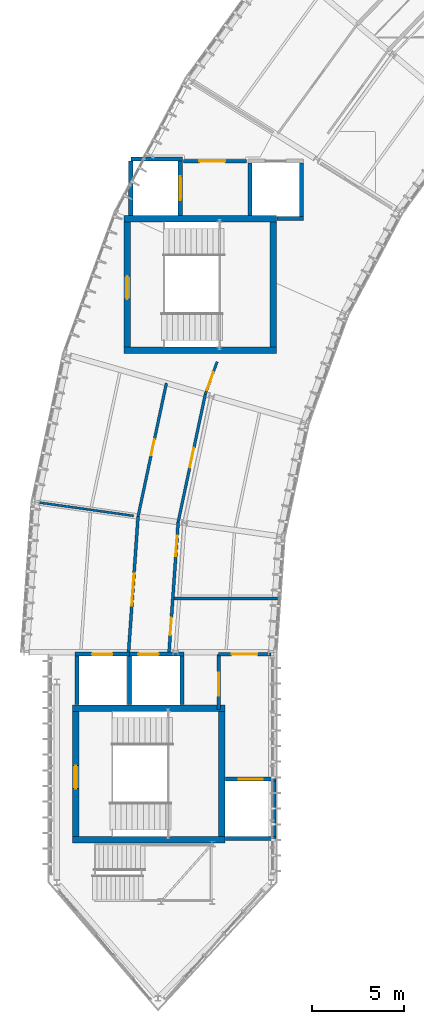
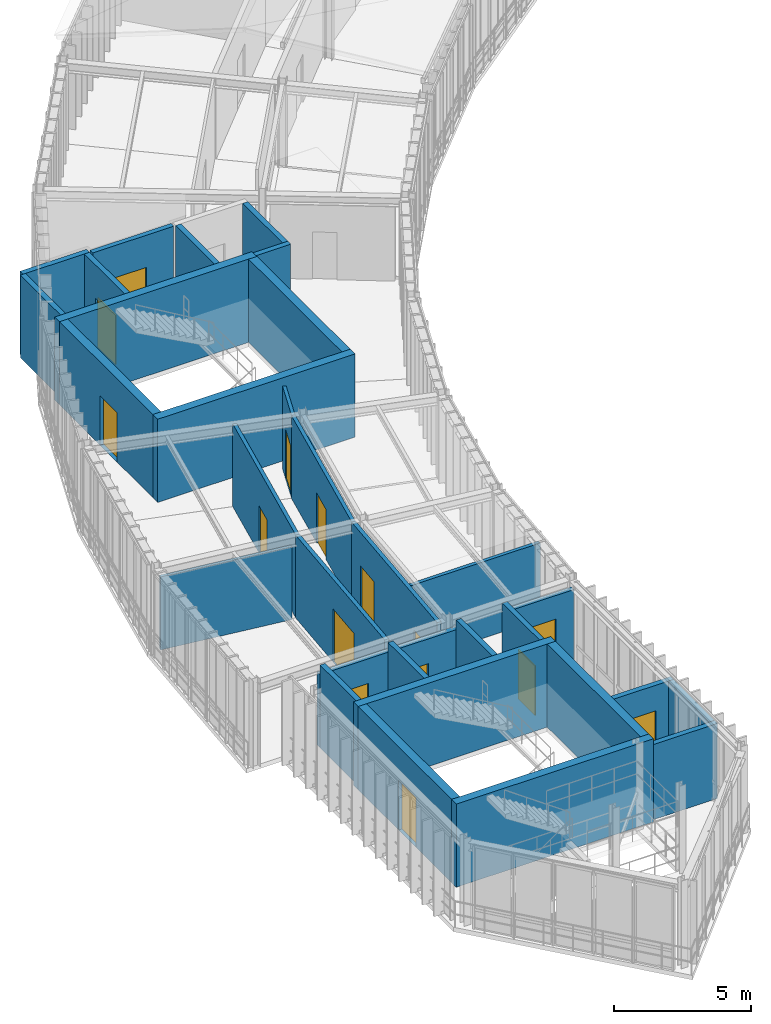
# One storey, part 18 of 25: 32 walls, 15 doors, 15 openings.
"""IFC4 building model written with IfcOpenShell, lengths in metres."""

from ifc_helpers import new_model, si_unit, direction, frame, frame_2d, origin, place, context, subcontext, project, spatial, rectangle, extrude, material, layer, layer_set, type_object, element, fill, save


model = new_model("IFC4")

# Units and contexts
model_context = context("Model", 3, precision=1e-05, world=origin(), true_north=direction((0.0, 1.0)))
body_context = subcontext(model_context, "Body", "Model", "MODEL_VIEW")
ifc_project = project(units=[si_unit("LENGTHUNIT", "METRE"), si_unit("AREAUNIT", "SQUARE_METRE"), si_unit("VOLUMEUNIT", "CUBIC_METRE"), si_unit("PLANEANGLEUNIT", "RADIAN"), si_unit("MASSUNIT", "GRAM", prefix="KILO"), si_unit("THERMODYNAMICTEMPERATUREUNIT", "KELVIN"), si_unit("POWERUNIT", "WATT")], contexts=[model_context])

# Site, building, storey
site_placement = place(None, origin())
site = spatial("IfcSite", under=ifc_project, at=site_placement, CompositionType="ELEMENT")
building_placement = place(site_placement, origin())
building = spatial("IfcBuilding", under=site, at=building_placement, Name="Solvatero Civic Police Headquarters", CompositionType="ELEMENT")
storey_placement = place(building_placement, frame((0.0, 0.0, 25.5)))
storey = spatial("IfcBuildingStorey", under=building, at=storey_placement, Name="L06", CompositionType="ELEMENT", Elevation=25.5)

# Wall
ifc_material_1 = material(Name="Gypsum Acoustic Stud", Category="gypsum")
ifc_layer_1 = layer(ifc_material_1, 0.1201171875)
ifc_layer_set_1 = layer_set([ifc_layer_1], Name="Gypsum Acoustic Stud")
wall_type_1 = type_object("IfcWallType", Name="WL-PTN-120", PredefinedType="PARTITIONING", material=ifc_layer_set_1)
wall_1_placement = place(storey_placement, frame((41.169189453125, 33.4248046875, 0.0), z_axis=(0.0, 0.0, 1.0), x_axis=(-0.990266484291, 0.13918437445, 0.0)))
element("IfcWall", 1, at=wall_1_placement, inside=storey, type_object=wall_type_1, Name="Interior Partition WLP-L06-ARC-RAD-B11", PredefinedType="PARTITIONING", context=body_context, shape_type="SweptSolid", body=[
    extrude(rectangle(XDim=5.14990234375, YDim=0.1201171875, at=frame_2d((2.574951171875, 0.0))), origin(), (0.0, 0.0, 1.0), 3.25),
])

# Wall, opening, door
ifc_material_2 = material(Name="Gypsum Double-Stud", Category="gypsum")
ifc_layer_2 = layer(ifc_material_2, 0.135009765625)
ifc_layer_set_2 = layer_set([ifc_layer_2], Name="Gypsum Double-Stud")
wall_type_2 = type_object("IfcWallType", Name="WL-PTN-135", PredefinedType="PARTITIONING", material=ifc_layer_set_2)
wall_2_placement = place(storey_placement, frame((45.716064453125, 41.800048828125, 0.0), z_axis=(0.0, 0.0, 1.0), x_axis=(-0.342003187451, -0.939698792046, 0.0)))
wall_2 = element("IfcWall", 2, at=wall_2_placement, inside=storey, type_object=wall_type_2, Name="Interior Partition WLP-L06-ARC-CIN-B10", PredefinedType="PARTITIONING", context=body_context, shape_type="SweptSolid", body=[
    extrude(rectangle(XDim=1.8837890625, YDim=0.135009765625, at=frame_2d((0.94189453125, 0.0))), origin(), (0.0, 0.0, 1.0), 3.679931640625),
])
opening_1_placement = place(wall_2_placement, frame((0.593994140625, 0.0, 0.0)))
opening_1 = element("IfcOpeningElement", 3, at=opening_1_placement, cuts=wall_2, Name="Opening ID-07", PredefinedType="OPENING", context=body_context, shape_type="SweptSolid", body=[
    extrude(rectangle(XDim=1.050048828125, YDim=2.199951171875, at=frame_2d((0.52490234375, 1.10009765625))), frame((0.0, 0.077392578125, 0.0), z_axis=(0.0, -1.0, 0.0), x_axis=(1.0, 0.0, 0.0)), (0.0, 0.0, 1.0), 0.155029296875),
])
ifc_material_3 = material(Name="Powder-Coated Steel", Category="steel")
door_type_1 = type_object("IfcDoorType", Name="DR-LAB-105x220", OperationType="NOTDEFINED", PredefinedType="DOOR", material=ifc_material_3)
door_1_placement = place(opening_1_placement, origin())
door_1 = element("IfcDoor", 4, at=door_1_placement, inside=storey, type_object=door_type_1, Name="Interior Door DR-L06-ARC-IN-B10", OperationType="SINGLE_SWING_LEFT", OverallHeight=2.199951171875, OverallWidth=1.050048828125, PredefinedType="DOOR", context=body_context, shape_type="SweptSolid", body=[
    extrude(rectangle(XDim=1.050048828125, YDim=2.199951171875, at=frame_2d((0.52490234375, 1.10009765625))), frame((0.0, 0.02490234375, 0.0), z_axis=(0.0, -1.0, 0.0), x_axis=(1.0, 0.0, 0.0)), (0.0, 0.0, 1.0), 0.050048828125),
])
fill(opening_1, door_1)

ifc_layer_3 = layer(ifc_material_1, 0.14990234375)
ifc_layer_set_3 = layer_set([ifc_layer_3], Name="Gypsum Acoustic Stud")
wall_type_3 = type_object("IfcWallType", Name="WL-PTN-150", PredefinedType="PARTITIONING", material=ifc_layer_set_3)
wall_3_placement = place(storey_placement, frame((45.07177734375, 40.02978515625, 0.0), z_axis=(0.0, 0.0, 1.0), x_axis=(-0.207903987445, -0.978149238104, 0.0)))
wall_3 = element("IfcWall", 5, at=wall_3_placement, inside=storey, type_object=wall_type_3, Name="Interior Partition WLP-L06-ARC-CIN-B11", PredefinedType="PARTITIONING", context=body_context, shape_type="SweptSolid", body=[
    extrude(rectangle(XDim=7.10107421875, YDim=0.14990234375, at=frame_2d((3.550537109375, 0.0))), origin(), (0.0, 0.0, 1.0), 3.679931640625),
])
opening_2_placement = place(wall_3_placement, frame((2.98193359375, 0.0, 0.0)))
opening_2 = element("IfcOpeningElement", 6, at=opening_2_placement, cuts=wall_3, Name="Opening ID-08", PredefinedType="OPENING", context=body_context, shape_type="SweptSolid", body=[
    extrude(rectangle(XDim=1.080078125, YDim=2.219970703125, at=frame_2d((0.5400390625, 1.10986328125))), frame((0.0, 0.0849609375, 0.0), z_axis=(0.0, -1.0, 0.0), x_axis=(1.0, 0.0, 0.0)), (0.0, 0.0, 1.0), 0.169921875),
])
door_type_2 = type_object("IfcDoorType", Name="DR-LAB-108x222", OperationType="NOTDEFINED", PredefinedType="DOOR", material=ifc_material_3)
door_2_placement = place(opening_2_placement, origin())
door_2 = element("IfcDoor", 7, at=door_2_placement, inside=storey, type_object=door_type_2, Name="Interior Door DR-L06-ARC-IN-B11", OperationType="SINGLE_SWING_RIGHT", OverallHeight=2.219970703125, OverallWidth=1.080078125, PredefinedType="DOOR", context=body_context, shape_type="SweptSolid", body=[
    extrude(rectangle(XDim=1.080078125, YDim=2.219970703125, at=frame_2d((0.5400390625, 1.10986328125))), frame((0.0, 0.02490234375, 0.0), z_axis=(0.0, -1.0, 0.0), x_axis=(1.0, 0.0, 0.0)), (0.0, 0.0, 1.0), 0.050048828125),
])
fill(opening_2, door_2)

wall_4_placement = place(storey_placement, frame((42.95703125, 40.63623046875, 0.0), z_axis=(0.0, 0.0, 1.0), x_axis=(-0.207921820376, -0.978145447575, 0.0)))
wall_4 = element("IfcWall", 8, at=wall_4_placement, inside=storey, type_object=wall_type_3, Name="Interior Partition WLP-L06-ARC-COUT-B11", PredefinedType="PARTITIONING", context=body_context, shape_type="SweptSolid", body=[
    extrude(rectangle(XDim=7.407958984375, YDim=0.14990234375, at=frame_2d((3.7041015625, 0.0))), origin(), (0.0, 0.0, 1.0), 3.679931640625),
])
opening_3_placement = place(wall_4_placement, frame((3.111083984375, 0.0, 0.0)))
opening_3 = element("IfcOpeningElement", 9, at=opening_3_placement, cuts=wall_4, Name="Opening ID-02", PredefinedType="OPENING", context=body_context, shape_type="SweptSolid", body=[
    extrude(rectangle(XDim=0.89990234375, YDim=2.10009765625, at=frame_2d((0.449951171875, 1.050048828125))), frame((0.0, 0.0849609375, 0.0), z_axis=(0.0, -1.0, 0.0), x_axis=(1.0, 0.0, 0.0)), (0.0, 0.0, 1.0), 0.169921875),
])
ifc_material_4 = material(Name="Acoustic Oak Timber Veneer", Category="wood")
door_type_3 = type_object("IfcDoorType", Name="DR-OFF-090x210", OperationType="NOTDEFINED", PredefinedType="DOOR", material=ifc_material_4)
door_3_placement = place(opening_3_placement, origin())
door_3 = element("IfcDoor", 10, at=door_3_placement, inside=storey, type_object=door_type_3, Name="Interior Door DR-L06-ARC-OUT-B11", OperationType="SINGLE_SWING_LEFT", OverallHeight=2.10009765625, OverallWidth=0.89990234375, PredefinedType="DOOR", context=body_context, shape_type="SweptSolid", body=[
    extrude(rectangle(XDim=0.89990234375, YDim=2.10009765625, at=frame_2d((0.449951171875, 1.050048828125))), frame((0.0, 0.02490234375, 0.0), z_axis=(0.0, -1.0, 0.0), x_axis=(1.0, 0.0, 0.0)), (0.0, 0.0, 1.0), 0.050048828125),
])
fill(opening_3, door_3)

# Wall
wall_5_placement = place(storey_placement, frame((43.374755859375, 28.929931640625, 0.0), z_axis=(0.0, 0.0, 1.0), x_axis=(1.0, 0.0, 0.0)))
element("IfcWall", 11, at=wall_5_placement, inside=storey, type_object=wall_type_3, Name="Interior Partition WLP-L06-ARC-WCDIV-B12", PredefinedType="PARTITIONING", context=body_context, shape_type="SweptSolid", body=[
    extrude(rectangle(XDim=5.630126953125, YDim=0.14990234375, at=frame_2d((2.81494140625, 0.0))), origin(), (0.0, 0.0, 1.0), 3.39794921875),
])

# Wall, openings, doors
ifc_material_5 = material(Name="Concrete Blockwork", Category="masonry")
ifc_layer_4 = layer(ifc_material_5, 0.1650390625)
ifc_layer_set_4 = layer_set([ifc_layer_4], Name="Concrete Blockwork")
wall_type_4 = type_object("IfcWallType", Name="WL-PTN-165", PredefinedType="PARTITIONING", material=ifc_layer_set_4)
wall_6_placement = place(storey_placement, frame((43.595458984375, 33.083984375, 0.0), z_axis=(0.0, 0.0, 1.0), x_axis=(-0.069756597752, -0.997564041588, 0.0)))
wall_6 = element("IfcWall", 12, at=wall_6_placement, inside=storey, type_object=wall_type_4, Name="Interior Partition WLP-L06-ARC-CIN-B12", PredefinedType="PARTITIONING", context=body_context, shape_type="SweptSolid", body=[
    extrude(rectangle(XDim=7.101318359375, YDim=0.1650390625, at=frame_2d((3.55078125, 0.0))), origin(), (0.0, 0.0, 1.0), 3.679931640625),
])
opening_4_placement = place(wall_6_placement, frame((5.200927734375, 0.0, 0.0)))
opening_4 = element("IfcOpeningElement", 13, at=opening_4_placement, cuts=wall_6, Name="Opening ID-04", PredefinedType="OPENING", context=body_context, shape_type="SweptSolid", body=[
    extrude(rectangle(XDim=0.949951171875, YDim=2.14990234375, at=frame_2d((0.47509765625, 1.074951171875))), frame((0.0, 0.092529296875, 0.0), z_axis=(0.0, -1.0, 0.0), x_axis=(1.0, 0.0, 0.0)), (0.0, 0.0, 1.0), 0.18505859375),
])
opening_5_placement = place(wall_6_placement, frame((0.75, 0.0, 0.0)))
opening_5 = element("IfcOpeningElement", 14, at=opening_5_placement, cuts=wall_6, Name="Opening ID-09", PredefinedType="OPENING", context=body_context, shape_type="SweptSolid", body=[
    extrude(rectangle(XDim=1.1201171875, YDim=2.199951171875, at=frame_2d((0.56005859375, 1.10009765625))), frame((0.0, 0.092529296875, 0.0), z_axis=(0.0, -1.0, 0.0), x_axis=(1.0, 0.0, 0.0)), (0.0, 0.0, 1.0), 0.18505859375),
])
door_type_4 = type_object("IfcDoorType", Name="DR-ACC-095x215", OperationType="NOTDEFINED", PredefinedType="DOOR", material=ifc_material_4)
door_4_placement = place(opening_4_placement, origin())
door_4 = element("IfcDoor", 15, at=door_4_placement, inside=storey, type_object=door_type_4, Name="Interior Door DR-L06-ARC-WC-B12", OperationType="SINGLE_SWING_RIGHT", OverallHeight=2.14990234375, OverallWidth=0.949951171875, PredefinedType="DOOR", context=body_context, shape_type="SweptSolid", body=[
    extrude(rectangle(XDim=0.949951171875, YDim=2.14990234375, at=frame_2d((0.47509765625, 1.074951171875))), frame((0.0, 0.02490234375, 0.0), z_axis=(0.0, -1.0, 0.0), x_axis=(1.0, 0.0, 0.0)), (0.0, 0.0, 1.0), 0.050048828125),
])
fill(opening_4, door_4)
door_type_5 = type_object("IfcDoorType", Name="DR-PLT-112x220", OperationType="NOTDEFINED", PredefinedType="DOOR", material=ifc_material_3)
door_5_placement = place(opening_5_placement, origin())
door_5 = element("IfcDoor", 16, at=door_5_placement, inside=storey, type_object=door_type_5, Name="Interior Door DR-L06-ARC-IN-B12", OperationType="SINGLE_SWING_LEFT", OverallHeight=2.199951171875, OverallWidth=1.1201171875, PredefinedType="DOOR", context=body_context, shape_type="SweptSolid", body=[
    extrude(rectangle(XDim=1.1201171875, YDim=2.199951171875, at=frame_2d((0.56005859375, 1.10009765625))), frame((0.0, 0.02490234375, 0.0), z_axis=(0.0, -1.0, 0.0), x_axis=(1.0, 0.0, 0.0)), (0.0, 0.0, 1.0), 0.050048828125),
])
fill(opening_5, door_5)

# Wall, opening, door
wall_7_placement = place(storey_placement, frame((41.416748046875, 33.39013671875, 0.0), z_axis=(0.0, 0.0, 1.0), x_axis=(-0.069766817412, -0.997563326906, 0.0)))
wall_7 = element("IfcWall", 17, at=wall_7_placement, inside=storey, type_object=wall_type_4, Name="Interior Partition WLP-L06-ARC-COUT-B12", PredefinedType="PARTITIONING", context=body_context, shape_type="SweptSolid", body=[
    extrude(rectangle(XDim=7.408203125, YDim=0.1650390625, at=frame_2d((3.7041015625, 0.0))), origin(), (0.0, 0.0, 1.0), 3.679931640625),
])
opening_6_placement = place(wall_7_placement, frame((3.111083984375, 0.0, 0.0)))
opening_6 = element("IfcOpeningElement", 18, at=opening_6_placement, cuts=wall_7, Name="Opening ID-17", PredefinedType="OPENING", context=body_context, shape_type="SweptSolid", body=[
    extrude(rectangle(XDim=1.760009765625, YDim=2.360107421875, at=frame_2d((0.8798828125, 1.18017578125))), frame((0.0, 0.092529296875, 0.0), z_axis=(0.0, -1.0, 0.0), x_axis=(1.0, 0.0, 0.0)), (0.0, 0.0, 1.0), 0.18505859375),
])
door_type_6 = type_object("IfcDoorType", Name="DR-DBL-176x236", OperationType="NOTDEFINED", PredefinedType="DOOR", material=ifc_material_3)
door_6_placement = place(opening_6_placement, origin())
door_6 = element("IfcDoor", 19, at=door_6_placement, inside=storey, type_object=door_type_6, Name="Interior Door DR-L06-ARC-OUT-B12", OperationType="DOUBLE_DOOR_SINGLE_SWING", OverallHeight=2.360107421875, OverallWidth=1.760009765625, PredefinedType="DOOR", context=body_context, shape_type="SweptSolid", body=[
    extrude(rectangle(XDim=1.760009765625, YDim=2.360107421875, at=frame_2d((0.8798828125, 1.18017578125))), frame((0.0, 0.02490234375, 0.0), z_axis=(0.0, -1.0, 0.0), x_axis=(1.0, 0.0, 0.0)), (0.0, 0.0, 1.0), 0.050048828125),
])
fill(opening_6, door_6)

ifc_layer_5 = layer(ifc_material_5, 0.199951171875)
ifc_layer_set_5 = layer_set([ifc_layer_5], Name="Concrete Blockwork")
wall_type_5 = type_object("IfcWallType", Name="WL-PTN-200", PredefinedType="PARTITIONING", material=ifc_layer_set_5)
wall_8_placement = place(storey_placement, frame((45.800048828125, 22.89990234375, 0.0), z_axis=(0.0, 0.0, 1.0), x_axis=(0.0, 1.0, 0.0)))
wall_8 = element("IfcWall", 20, at=wall_8_placement, inside=storey, type_object=wall_type_5, Name="Interior Partition WLP-FFL-C1-L06-W", PredefinedType="PARTITIONING", context=body_context, shape_type="SweptSolid", body=[
    extrude(rectangle(XDim=3.0, YDim=0.199951171875, at=frame_2d((1.5, 0.0))), origin(), (0.0, 0.0, 1.0), 3.679931640625),
])
opening_7_placement = place(wall_8_placement, frame((0.75, 0.0, 0.0)))
opening_7 = element("IfcOpeningElement", 21, at=opening_7_placement, cuts=wall_8, Name="Opening FD-01", PredefinedType="OPENING", context=body_context, shape_type="SweptSolid", body=[
    extrude(rectangle(XDim=1.25, YDim=2.199951171875, at=frame_2d((0.625, 1.10009765625))), frame((0.0, 0.10986328125, 0.0), z_axis=(0.0, -1.0, 0.0), x_axis=(1.0, 0.0, 0.0)), (0.0, 0.0, 1.0), 0.219970703125),
])
door_type_7 = type_object("IfcDoorType", Name="DR-STR-125x220", OperationType="NOTDEFINED", PredefinedType="DOOR", material=ifc_material_3)
door_7_placement = place(opening_7_placement, origin())
door_7 = element("IfcDoor", 22, at=door_7_placement, inside=storey, type_object=door_type_7, Name="Interior Door DR-FFL-C1-L06-W", OperationType="SINGLE_SWING_LEFT", OverallHeight=2.199951171875, OverallWidth=1.25, PredefinedType="DOOR", context=body_context, shape_type="SweptSolid", body=[
    extrude(rectangle(XDim=1.25, YDim=2.199951171875, at=frame_2d((0.625, 1.10009765625))), frame((0.0, 0.02490234375, 0.0), z_axis=(0.0, -1.0, 0.0), x_axis=(1.0, 0.0, 0.0)), (0.0, 0.0, 1.0), 0.050048828125),
])
fill(opening_7, door_7)

wall_9_placement = place(storey_placement, frame((45.800048828125, 25.89990234375, 0.0), z_axis=(0.0, 0.0, 1.0), x_axis=(1.0, 0.0, 0.0)))
wall_9 = element("IfcWall", 23, at=wall_9_placement, inside=storey, type_object=wall_type_5, Name="Interior Partition WLP-FFL-C1-L06-N", PredefinedType="PARTITIONING", context=body_context, shape_type="SweptSolid", body=[
    extrude(rectangle(XDim=2.849853515625, YDim=0.199951171875, at=frame_2d((1.4248046875, 0.0))), origin(), (0.0, 0.0, 1.0), 3.300048828125),
])
opening_8_placement = place(wall_9_placement, frame((0.699951171875, 0.0, 0.0)))
opening_8 = element("IfcOpeningElement", 24, at=opening_8_placement, cuts=wall_9, Name="Opening FD-02", PredefinedType="OPENING", context=body_context, shape_type="SweptSolid", body=[
    extrude(rectangle(XDim=1.39990234375, YDim=2.25, at=frame_2d((0.699951171875, 1.125))), frame((0.0, 0.10986328125, 0.0), z_axis=(0.0, -1.0, 0.0), x_axis=(1.0, 0.0, 0.0)), (0.0, 0.0, 1.0), 0.219970703125),
])
door_type_8 = type_object("IfcDoorType", Name="DR-LOB-140x225", OperationType="NOTDEFINED", PredefinedType="DOOR", material=ifc_material_3)
door_8_placement = place(opening_8_placement, origin())
door_8 = element("IfcDoor", 25, at=door_8_placement, inside=storey, type_object=door_type_8, Name="Interior Door DR-FFL-C1-L06-ACC", OperationType="DOUBLE_DOOR_SINGLE_SWING", OverallHeight=2.25, OverallWidth=1.39990234375, PredefinedType="DOOR", context=body_context, shape_type="SweptSolid", body=[
    extrude(rectangle(XDim=1.39990234375, YDim=2.25, at=frame_2d((0.699951171875, 1.125))), frame((0.0, 0.02490234375, 0.0), z_axis=(0.0, -1.0, 0.0), x_axis=(1.0, 0.0, 0.0)), (0.0, 0.0, 1.0), 0.050048828125),
])
fill(opening_8, door_8)

wall_10_placement = place(storey_placement, frame((43.89990234375, 52.699951171875, 0.0), z_axis=(0.0, 0.0, 1.0), x_axis=(1.0, 0.0, 0.0)))
wall_10 = element("IfcWall", 26, at=wall_10_placement, inside=storey, type_object=wall_type_5, Name="Interior Partition WLP-FFL-C2-L06-N", PredefinedType="PARTITIONING", context=body_context, shape_type="SweptSolid", body=[
    extrude(rectangle(XDim=3.400146484375, YDim=0.199951171875, at=frame_2d((1.7001953125, 0.0))), origin(), (0.0, 0.0, 1.0), 3.679931640625),
])
opening_9_placement = place(wall_10_placement, frame((0.85009765625, 0.0, 0.0)))
opening_9 = element("IfcOpeningElement", 27, at=opening_9_placement, cuts=wall_10, Name="Opening FD-02", PredefinedType="OPENING", context=body_context, shape_type="SweptSolid", body=[
    extrude(rectangle(XDim=1.39990234375, YDim=2.25, at=frame_2d((0.699951171875, 1.125))), frame((0.0, 0.10986328125, 0.0), z_axis=(0.0, -1.0, 0.0), x_axis=(1.0, 0.0, 0.0)), (0.0, 0.0, 1.0), 0.219970703125),
])
door_9_placement = place(opening_9_placement, origin())
door_9 = element("IfcDoor", 28, at=door_9_placement, inside=storey, type_object=door_type_8, Name="Interior Door DR-FFL-C2-L06-ACC", OperationType="DOUBLE_DOOR_SINGLE_SWING", OverallHeight=2.25, OverallWidth=1.39990234375, PredefinedType="DOOR", context=body_context, shape_type="SweptSolid", body=[
    extrude(rectangle(XDim=1.39990234375, YDim=2.25, at=frame_2d((0.699951171875, 1.125))), frame((0.0, 0.02490234375, 0.0), z_axis=(0.0, -1.0, 0.0), x_axis=(1.0, 0.0, 0.0)), (0.0, 0.0, 1.0), 0.050048828125),
])
fill(opening_9, door_9)

# Wall
ifc_material_6 = material(Name="Concrete C35/45", Category="concrete")
ifc_layer_6 = layer(ifc_material_6, 0.219970703125)
ifc_layer_set_6 = layer_set([ifc_layer_6], Name="Concrete C35/45")
wall_type_6 = type_object("IfcWallType", Name="WL-SHF-220", PredefinedType="PARTITIONING", material=ifc_layer_set_6)
wall_11_placement = place(storey_placement, frame((46.159912109375, 15.889892578125, 0.0), z_axis=(0.0, 0.0, 1.0), x_axis=(1.0, 0.0, 0.0)))
element("IfcWall", 29, at=wall_11_placement, inside=storey, type_object=wall_type_6, Name="Lift Shaft Wall WLS-FL-01-L06-S", PredefinedType="PARTITIONING", context=body_context, shape_type="SweptSolid", body=[
    extrude(rectangle(XDim=2.760009765625, YDim=0.219970703125, at=frame_2d((1.3798828125, 0.0))), origin(), (0.0, 0.0, 1.0), 3.337890625),
])

# Wall, opening, door
wall_12_placement = place(storey_placement, frame((46.159912109375, 19.110107421875, 0.0), z_axis=(0.0, 0.0, 1.0), x_axis=(1.0, 0.0, 0.0)))
wall_12 = element("IfcWall", 30, at=wall_12_placement, inside=storey, type_object=wall_type_6, Name="Lift Shaft Wall WLS-FL-01-L06-N", PredefinedType="PARTITIONING", context=body_context, shape_type="SweptSolid", body=[
    extrude(rectangle(XDim=2.760009765625, YDim=0.219970703125, at=frame_2d((1.3798828125, 0.0))), origin(), (0.0, 0.0, 1.0), 3.337890625),
])
opening_10_placement = place(wall_12_placement, frame((0.72998046875, 0.0, 0.0)))
opening_10 = element("IfcOpeningElement", 31, at=opening_10_placement, cuts=wall_12, Name="Opening LD-02", PredefinedType="OPENING", context=body_context, shape_type="SweptSolid", body=[
    extrude(rectangle(XDim=1.300048828125, YDim=2.199951171875, at=frame_2d((0.64990234375, 1.10009765625))), frame((0.0, 0.119873046875, 0.0), z_axis=(0.0, -1.0, 0.0), x_axis=(1.0, 0.0, 0.0)), (0.0, 0.0, 1.0), 0.239990234375),
])
ifc_material_7 = material(Name="Stainless Steel Grade 316", Category="steel")
door_type_9 = type_object("IfcDoorType", Name="DR-LFT-130x220", OperationType="DOUBLE_DOOR_SLIDING", PredefinedType="DOOR", material=ifc_material_7)
door_10_placement = place(opening_10_placement, origin())
door_10 = element("IfcDoor", 32, at=door_10_placement, inside=storey, type_object=door_type_9, Name="Interior Door DR-LFT-FL-01-L06", OperationType="DOUBLE_DOOR_SLIDING", OverallHeight=2.199951171875, OverallWidth=1.300048828125, PredefinedType="DOOR", context=body_context, shape_type="SweptSolid", body=[
    extrude(rectangle(XDim=1.300048828125, YDim=2.199951171875, at=frame_2d((0.64990234375, 1.10009765625))), frame((0.0, 0.02490234375, 0.0), z_axis=(0.0, -1.0, 0.0), x_axis=(1.0, 0.0, 0.0)), (0.0, 0.0, 1.0), 0.050048828125),
])
fill(opening_10, door_10)

# Wall
wall_13_placement = place(storey_placement, frame((48.81005859375, 16.0, 0.0), z_axis=(0.0, 0.0, 1.0), x_axis=(0.0, 1.0, 0.0)))
element("IfcWall", 33, at=wall_13_placement, inside=storey, type_object=wall_type_6, Name="Lift Shaft Wall WLS-FL-01-L06-E", PredefinedType="PARTITIONING", context=body_context, shape_type="SweptSolid", body=[
    extrude(rectangle(XDim=3.0, YDim=0.219970703125, at=frame_2d((1.5, 0.0))), origin(), (0.0, 0.0, 1.0), 3.340087890625),
])

# Wall, opening, door
wall_14_placement = place(storey_placement, frame((37.97998046875, 25.909912109375, 0.0), z_axis=(0.0, 0.0, 1.0), x_axis=(1.0, 0.0, 0.0)))
wall_14 = element("IfcWall", 34, at=wall_14_placement, inside=storey, type_object=wall_type_6, Name="Lift Shaft Wall WLS-LP-01-L06-N", PredefinedType="PARTITIONING", context=body_context, shape_type="SweptSolid", body=[
    extrude(rectangle(XDim=2.969970703125, YDim=0.219970703125, at=frame_2d((1.48486328125, 0.0))), origin(), (0.0, 0.0, 1.0), 3.25),
])
opening_11_placement = place(wall_14_placement, frame((0.93505859375, 0.0, 0.0)))
opening_11 = element("IfcOpeningElement", 35, at=opening_11_placement, cuts=wall_14, Name="Opening LD-01", PredefinedType="OPENING", context=body_context, shape_type="SweptSolid", body=[
    extrude(rectangle(XDim=1.10009765625, YDim=2.14990234375, at=frame_2d((0.550048828125, 1.074951171875))), frame((0.0, 0.119873046875, 0.0), z_axis=(0.0, -1.0, 0.0), x_axis=(1.0, 0.0, 0.0)), (0.0, 0.0, 1.0), 0.239990234375),
])
door_type_10 = type_object("IfcDoorType", Name="DR-LFT-110x215", OperationType="DOUBLE_DOOR_SLIDING", PredefinedType="DOOR", material=ifc_material_7)
door_11_placement = place(opening_11_placement, origin())
door_11 = element("IfcDoor", 36, at=door_11_placement, inside=storey, type_object=door_type_10, Name="Interior Door DR-LFT-LP-01-L06", OperationType="DOUBLE_DOOR_SLIDING", OverallHeight=2.14990234375, OverallWidth=1.10009765625, PredefinedType="DOOR", context=body_context, shape_type="SweptSolid", body=[
    extrude(rectangle(XDim=1.10009765625, YDim=2.14990234375, at=frame_2d((0.550048828125, 1.074951171875))), frame((0.0, 0.02490234375, 0.0), z_axis=(0.0, -1.0, 0.0), x_axis=(1.0, 0.0, 0.0)), (0.0, 0.0, 1.0), 0.050048828125),
])
fill(opening_11, door_11)

# Walls
for number, where, z_axis, x_axis, name in (
    (37, (38.090087890625, 23.159912109375, 0.0), (0.0, 0.0, 1.0), (0.0, 1.0, 0.0), "Lift Shaft Wall WLS-LP-01-L06-W"),
    (38, (40.949951171875, 23.159912109375, 0.0), (0.0, 0.0, 1.0), (0.0, 1.0, 0.0), "Lift Shaft Wall WLS-LP-01-L06-E"),
):
    element("IfcWall", number, at=place(storey_placement, frame(where, z_axis=z_axis, x_axis=x_axis)), inside=storey, type_object=wall_type_6, Name=name, PredefinedType="PARTITIONING", context=body_context, shape_type="SweptSolid", body=[
        extrude(rectangle(XDim=2.64013671875, YDim=0.219970703125, at=frame_2d((1.320068359375, 0.0))), origin(), (0.0, 0.0, 1.0), 3.679931640625),
    ])

# Wall, opening, door
wall_15_placement = place(storey_placement, frame((40.949951171875, 25.909912109375, 0.0), z_axis=(0.0, 0.0, 1.0), x_axis=(1.0, 0.0, 0.0)))
wall_15 = element("IfcWall", 39, at=wall_15_placement, inside=storey, type_object=wall_type_6, Name="Lift Shaft Wall WLS-LP-02-L06-N", PredefinedType="PARTITIONING", context=body_context, shape_type="SweptSolid", body=[
    extrude(rectangle(XDim=2.969970703125, YDim=0.219970703125, at=frame_2d((1.48486328125, 0.0))), origin(), (0.0, 0.0, 1.0), 3.25),
])
opening_12_placement = place(wall_15_placement, frame((0.485107421875, 0.0, 0.0)))
opening_12 = element("IfcOpeningElement", 40, at=opening_12_placement, cuts=wall_15, Name="Opening LD-01", PredefinedType="OPENING", context=body_context, shape_type="SweptSolid", body=[
    extrude(rectangle(XDim=1.10009765625, YDim=2.14990234375, at=frame_2d((0.550048828125, 1.074951171875))), frame((0.0, 0.119873046875, 0.0), z_axis=(0.0, -1.0, 0.0), x_axis=(1.0, 0.0, 0.0)), (0.0, 0.0, 1.0), 0.239990234375),
])
door_12_placement = place(opening_12_placement, origin())
door_12 = element("IfcDoor", 41, at=door_12_placement, inside=storey, type_object=door_type_10, Name="Interior Door DR-LFT-LP-02-L06", OperationType="DOUBLE_DOOR_SLIDING", OverallHeight=2.14990234375, OverallWidth=1.10009765625, PredefinedType="DOOR", context=body_context, shape_type="SweptSolid", body=[
    extrude(rectangle(XDim=1.10009765625, YDim=2.14990234375, at=frame_2d((0.550048828125, 1.074951171875))), frame((0.0, 0.02490234375, 0.0), z_axis=(0.0, -1.0, 0.0), x_axis=(1.0, 0.0, 0.0)), (0.0, 0.0, 1.0), 0.050048828125),
])
fill(opening_12, door_12)

# Walls
wall_16_placement = place(storey_placement, frame((43.81005859375, 23.159912109375, 0.0), z_axis=(0.0, 0.0, 1.0), x_axis=(0.0, 1.0, 0.0)))
element("IfcWall", 42, at=wall_16_placement, inside=storey, type_object=wall_type_6, Name="Lift Shaft Wall WLS-LP-02-L06-E", PredefinedType="PARTITIONING", context=body_context, shape_type="SweptSolid", body=[
    extrude(rectangle(XDim=2.64013671875, YDim=0.219970703125, at=frame_2d((1.320068359375, 0.0))), origin(), (0.0, 0.0, 1.0), 3.679931640625),
])
wall_17_placement = place(storey_placement, frame((41.02001953125, 52.81005859375, 0.0), z_axis=(0.0, 0.0, 1.0), x_axis=(1.0, 0.0, 0.0)))
element("IfcWall", 43, at=wall_17_placement, inside=storey, type_object=wall_type_6, Name="Lift Shaft Wall WLS-FL-02-L06-N", PredefinedType="PARTITIONING", context=body_context, shape_type="SweptSolid", body=[
    extrude(rectangle(XDim=2.800048828125, YDim=0.219970703125, at=frame_2d((1.39990234375, 0.0))), origin(), (0.0, 0.0, 1.0), 3.679931640625),
])
wall_18_placement = place(storey_placement, frame((41.02001953125, 49.760009765625, 0.0), z_axis=(0.0, 0.0, 1.0), x_axis=(0.0, 1.0, 0.0)))
element("IfcWall", 44, at=wall_18_placement, inside=storey, type_object=wall_type_6, Name="Lift Shaft Wall WLS-FL-02-L06-W", PredefinedType="PARTITIONING", context=body_context, shape_type="SweptSolid", body=[
    extrude(rectangle(XDim=2.93994140625, YDim=0.219970703125, at=frame_2d((1.469970703125, 0.0))), origin(), (0.0, 0.0, 1.0), 3.679931640625),
])

# Wall, opening, door
wall_19_placement = place(storey_placement, frame((43.7099609375, 49.760009765625, 0.0), z_axis=(0.0, 0.0, 1.0), x_axis=(0.0, 1.0, 0.0)))
wall_19 = element("IfcWall", 45, at=wall_19_placement, inside=storey, type_object=wall_type_6, Name="Lift Shaft Wall WLS-FL-02-L06-E", PredefinedType="PARTITIONING", context=body_context, shape_type="SweptSolid", body=[
    extrude(rectangle(XDim=2.93994140625, YDim=0.219970703125, at=frame_2d((1.469970703125, 0.0))), origin(), (0.0, 0.0, 1.0), 3.679931640625),
])
opening_13_placement = place(wall_19_placement, frame((0.820068359375, 0.0, 0.0)))
opening_13 = element("IfcOpeningElement", 46, at=opening_13_placement, cuts=wall_19, Name="Opening LD-02", PredefinedType="OPENING", context=body_context, shape_type="SweptSolid", body=[
    extrude(rectangle(XDim=1.300048828125, YDim=2.199951171875, at=frame_2d((0.64990234375, 1.10009765625))), frame((0.0, 0.119873046875, 0.0), z_axis=(0.0, -1.0, 0.0), x_axis=(1.0, 0.0, 0.0)), (0.0, 0.0, 1.0), 0.239990234375),
])
door_13_placement = place(opening_13_placement, origin())
door_13 = element("IfcDoor", 47, at=door_13_placement, inside=storey, type_object=door_type_9, Name="Interior Door DR-LFT-FL-02-L06", OperationType="DOUBLE_DOOR_SLIDING", OverallHeight=2.199951171875, OverallWidth=1.300048828125, PredefinedType="DOOR", context=body_context, shape_type="SweptSolid", body=[
    extrude(rectangle(XDim=1.300048828125, YDim=2.199951171875, at=frame_2d((0.64990234375, 1.10009765625))), frame((0.0, 0.02490234375, 0.0), z_axis=(0.0, -1.0, 0.0), x_axis=(1.0, 0.0, 0.0)), (0.0, 0.0, 1.0), 0.050048828125),
])
fill(opening_13, door_13)

# Walls
wall_20_placement = place(storey_placement, frame((48.9599609375, 49.590087890625, 0.0), z_axis=(0.0, 0.0, 1.0), x_axis=(1.0, 0.0, 0.0)))
element("IfcWall", 48, at=wall_20_placement, inside=storey, type_object=wall_type_6, Name="Lift Shaft Wall WLS-LP-03-L06-S", PredefinedType="PARTITIONING", context=body_context, shape_type="SweptSolid", body=[
    extrude(rectangle(XDim=1.4599609375, YDim=0.219970703125, at=frame_2d((0.72998046875, 0.0))), origin(), (0.0, 0.0, 1.0), 3.679931640625),
])
wall_21_placement = place(storey_placement, frame((47.489990234375, 49.760009765625, 0.0), z_axis=(0.0, 0.0, 1.0), x_axis=(0.0, 1.0, 0.0)))
element("IfcWall", 49, at=wall_21_placement, inside=storey, type_object=wall_type_6, Name="Lift Shaft Wall WLS-LP-03-L06-W", PredefinedType="PARTITIONING", context=body_context, shape_type="SweptSolid", body=[
    extrude(rectangle(XDim=2.840087890625, YDim=0.219970703125, at=frame_2d((1.419921875, 0.0))), origin(), (0.0, 0.0, 1.0), 3.679931640625),
])
wall_22_placement = place(storey_placement, frame((50.31005859375, 49.699951171875, 0.0), z_axis=(0.0, 0.0, 1.0), x_axis=(0.0, 1.0, 0.0)))
element("IfcWall", 50, at=wall_22_placement, inside=storey, type_object=wall_type_6, Name="Lift Shaft Wall WLS-LP-03-L06-E", PredefinedType="PARTITIONING", context=body_context, shape_type="SweptSolid", body=[
    extrude(rectangle(XDim=2.900146484375, YDim=0.219970703125, at=frame_2d((1.4501953125, 0.0))), origin(), (0.0, 0.0, 1.0), 3.679931640625),
])
ifc_material_8 = material(Name="Concrete C40/50", Category="concrete")
ifc_layer_7 = layer(ifc_material_8, 0.35009765625)
ifc_layer_set_7 = layer_set([ifc_layer_7], Name="Concrete C40/50")
wall_type_7 = type_object("IfcWallType", Name="WL-SHR-350", PredefinedType="SHEAR", material=ifc_layer_set_7)
for number, where, z_axis, x_axis, name in (
    (51, (37.85009765625, 15.824951171875, 0.0), (0.0, 0.0, 1.0), (1.0, 0.0, 0.0), "Core C1 Shear Wall S L06"),
    (52, (37.85009765625, 22.97509765625, 0.0), (0.0, 0.0, 1.0), (1.0, 0.0, 0.0), "Core C1 Shear Wall N L06"),
):
    element("IfcWall", number, at=place(storey_placement, frame(where, z_axis=z_axis, x_axis=x_axis)), inside=storey, type_object=wall_type_7, Name=name, PredefinedType="SHEAR", context=body_context, shape_type="SweptSolid", body=[
        extrude(rectangle(XDim=8.2998046875, YDim=0.35009765625, at=frame_2d((4.14990234375, 0.0))), origin(), (0.0, 0.0, 1.0), 3.699951171875),
    ])

# Wall, opening, door
wall_23_placement = place(storey_placement, frame((38.02490234375, 16.0, 0.0), z_axis=(0.0, 0.0, 1.0), x_axis=(0.0, 1.0, 0.0)))
wall_23 = element("IfcWall", 53, at=wall_23_placement, inside=storey, type_object=wall_type_7, Name="Core C1 Shear Wall W L06", PredefinedType="SHEAR", context=body_context, shape_type="SweptSolid", body=[
    extrude(rectangle(XDim=6.800048828125, YDim=0.35009765625, at=frame_2d((3.39990234375, 0.0))), origin(), (0.0, 0.0, 1.0), 3.699951171875),
])
opening_14_placement = place(wall_23_placement, frame((2.60009765625, 0.0, 0.0)))
opening_14 = element("IfcOpeningElement", 54, at=opening_14_placement, cuts=wall_23, Name="Opening FD-01", PredefinedType="OPENING", context=body_context, shape_type="SweptSolid", body=[
    extrude(rectangle(XDim=1.25, YDim=2.199951171875, at=frame_2d((0.625, 1.10009765625))), frame((0.0, 0.18505859375, 0.0), z_axis=(0.0, -1.0, 0.0), x_axis=(1.0, 0.0, 0.0)), (0.0, 0.0, 1.0), 0.3701171875),
])
door_14_placement = place(opening_14_placement, origin())
door_14 = element("IfcDoor", 55, at=door_14_placement, inside=storey, type_object=door_type_7, Name="Interior Door DR-STR-C1-L06", OperationType="SINGLE_SWING_LEFT", OverallHeight=2.199951171875, OverallWidth=1.25, PredefinedType="DOOR", context=body_context, shape_type="SweptSolid", body=[
    extrude(rectangle(XDim=1.25, YDim=2.199951171875, at=frame_2d((0.625, 1.10009765625))), frame((0.0, 0.02490234375, 0.0), z_axis=(0.0, -1.0, 0.0), x_axis=(1.0, 0.0, 0.0)), (0.0, 0.0, 1.0), 0.050048828125),
])
fill(opening_14, door_14)

# Walls
wall_24_placement = place(storey_placement, frame((45.97509765625, 16.0, 0.0), z_axis=(0.0, 0.0, 1.0), x_axis=(0.0, 1.0, 0.0)))
element("IfcWall", 56, at=wall_24_placement, inside=storey, type_object=wall_type_7, Name="Core C1 Shear Wall E L06", PredefinedType="SHEAR", context=body_context, shape_type="SweptSolid", body=[
    extrude(rectangle(XDim=6.800048828125, YDim=0.35009765625, at=frame_2d((3.39990234375, 0.0))), origin(), (0.0, 0.0, 1.0), 3.699951171875),
])
for number, where, z_axis, x_axis, name in (
    (57, (40.64990234375, 42.425048828125, 0.0), (0.0, 0.0, 1.0), (1.0, 0.0, 0.0), "Core C2 Shear Wall S L06"),
    (58, (40.64990234375, 49.574951171875, 0.0), (0.0, 0.0, 1.0), (1.0, 0.0, 0.0), "Core C2 Shear Wall N L06"),
):
    element("IfcWall", number, at=place(storey_placement, frame(where, z_axis=z_axis, x_axis=x_axis)), inside=storey, type_object=wall_type_7, Name=name, PredefinedType="SHEAR", context=body_context, shape_type="SweptSolid", body=[
        extrude(rectangle(XDim=8.300048828125, YDim=0.35009765625, at=frame_2d((4.14990234375, 0.0))), origin(), (0.0, 0.0, 1.0), 3.699951171875),
    ])

# Wall, opening, door
wall_25_placement = place(storey_placement, frame((40.824951171875, 42.60009765625, 0.0), z_axis=(0.0, 0.0, 1.0), x_axis=(0.0, 1.0, 0.0)))
wall_25 = element("IfcWall", 59, at=wall_25_placement, inside=storey, type_object=wall_type_7, Name="Core C2 Shear Wall W L06", PredefinedType="SHEAR", context=body_context, shape_type="SweptSolid", body=[
    extrude(rectangle(XDim=6.7998046875, YDim=0.35009765625, at=frame_2d((3.39990234375, 0.0))), origin(), (0.0, 0.0, 1.0), 3.699951171875),
])
opening_15_placement = place(wall_25_placement, frame((2.60009765625, 0.0, 0.0)))
opening_15 = element("IfcOpeningElement", 60, at=opening_15_placement, cuts=wall_25, Name="Opening FD-01", PredefinedType="OPENING", context=body_context, shape_type="SweptSolid", body=[
    extrude(rectangle(XDim=1.25, YDim=2.199951171875, at=frame_2d((0.625, 1.10009765625))), frame((0.0, 0.18505859375, 0.0), z_axis=(0.0, -1.0, 0.0), x_axis=(1.0, 0.0, 0.0)), (0.0, 0.0, 1.0), 0.3701171875),
])
door_15_placement = place(opening_15_placement, origin())
door_15 = element("IfcDoor", 61, at=door_15_placement, inside=storey, type_object=door_type_7, Name="Interior Door DR-STR-C2-L06", OperationType="SINGLE_SWING_LEFT", OverallHeight=2.199951171875, OverallWidth=1.25, PredefinedType="DOOR", context=body_context, shape_type="SweptSolid", body=[
    extrude(rectangle(XDim=1.25, YDim=2.199951171875, at=frame_2d((0.625, 1.10009765625))), frame((0.0, 0.02490234375, 0.0), z_axis=(0.0, -1.0, 0.0), x_axis=(1.0, 0.0, 0.0)), (0.0, 0.0, 1.0), 0.050048828125),
])
fill(opening_15, door_15)

# Wall
wall_26_placement = place(storey_placement, frame((48.77490234375, 42.60009765625, 0.0), z_axis=(0.0, 0.0, 1.0), x_axis=(0.0, 1.0, 0.0)))
element("IfcWall", 62, at=wall_26_placement, inside=storey, type_object=wall_type_7, Name="Core C2 Shear Wall E L06", PredefinedType="SHEAR", context=body_context, shape_type="SweptSolid", body=[
    extrude(rectangle(XDim=6.7998046875, YDim=0.35009765625, at=frame_2d((3.39990234375, 0.0))), origin(), (0.0, 0.0, 1.0), 3.699951171875),
])

save(model, "model.ifc")
